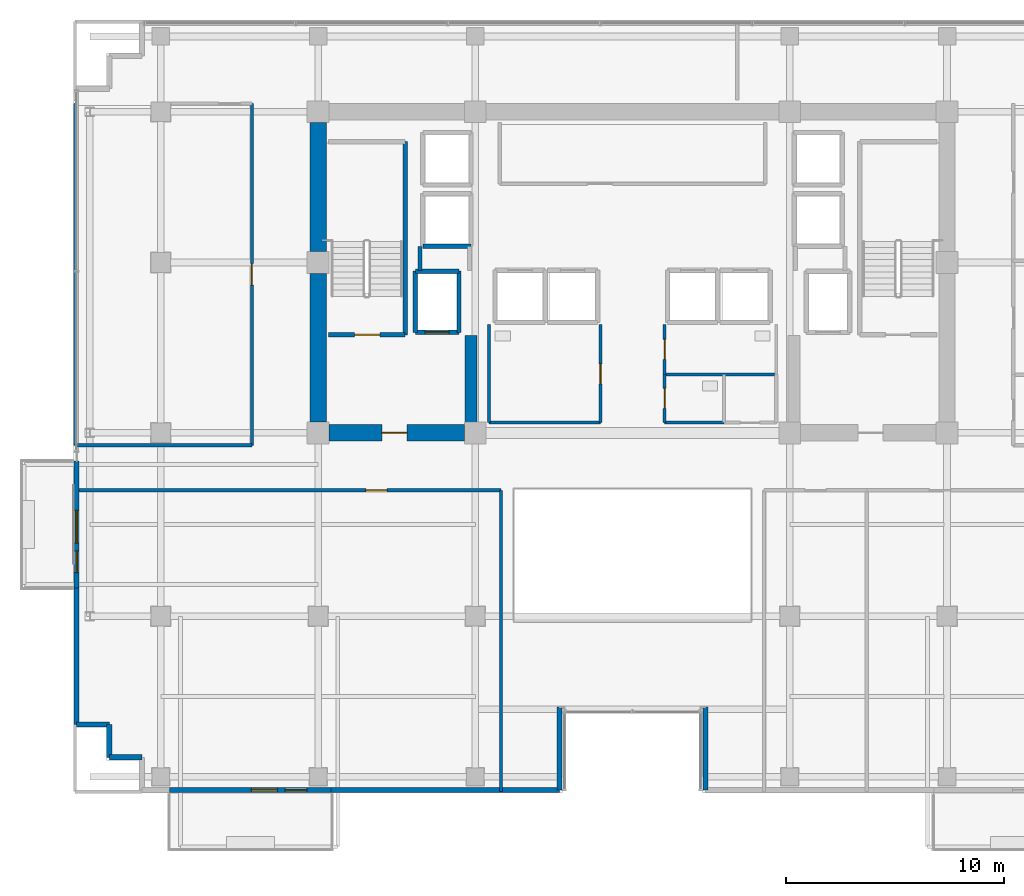
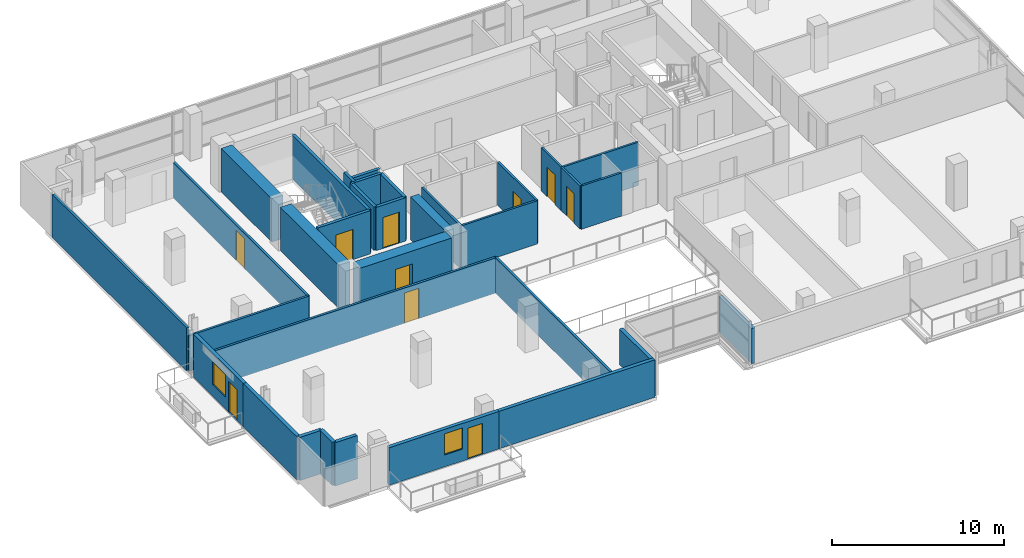
# One storey, part 15 of 23: 33 walls, 10 doors, 2 windows, 12 openings.
"""IFC4 building model written with IfcOpenShell, lengths in metres."""

from ifc_helpers import new_model, si_unit, direction, frame, frame_2d, origin, place, context, subcontext, project, spatial, rectangle, extrude, source, transform, mapped, material, layer, layer_set, type_object, element, fill, save


model = new_model("IFC4")

# Units and contexts
model_context = context("Model", 3, precision=1e-05, world=origin(), true_north=direction((0.0, 1.0)))
body_context = subcontext(model_context, "Body", "Model", "MODEL_VIEW")
ifc_project = project(units=[si_unit("LENGTHUNIT", "METRE"), si_unit("AREAUNIT", "SQUARE_METRE"), si_unit("VOLUMEUNIT", "CUBIC_METRE"), si_unit("PLANEANGLEUNIT", "RADIAN"), si_unit("MASSUNIT", "GRAM", prefix="KILO")], contexts=[model_context])

# Site, building, storey
site_placement = place(None, origin())
site = spatial("IfcSite", under=ifc_project, at=site_placement, CompositionType="ELEMENT")
building_placement = place(site_placement, origin())
building = spatial("IfcBuilding", under=site, at=building_placement, Name="Zarnakvel Exchange Tower", CompositionType="ELEMENT")
storey_placement = place(building_placement, frame((0.0, 0.0, 129.699951171875)))
storey = spatial("IfcBuildingStorey", under=building, at=storey_placement, Name="L36", CompositionType="ELEMENT", Elevation=129.699951171875)

# Walls
ifc_material_1 = material(Name="Concrete C60/75", Category="concrete")
ifc_layer_1 = layer(ifc_material_1, 0.75)
ifc_layer_set_1 = layer_set([ifc_layer_1], Name="Concrete C60/75")
wall_type_1 = type_object("IfcWallType", Name="CW-C3", PredefinedType="SHEAR", material=ifc_layer_set_1)
wall_1_placement = place(storey_placement, frame((-14.39990234375, -0.699951171875, 0.0), z_axis=(0.0, 0.0, 1.0), x_axis=(0.0, 1.0, 0.0)))
element("IfcWall", 1, at=wall_1_placement, inside=storey, type_object=wall_type_1, Name="L36 Rear Core Shear Wall W1 (CW-C3)", PredefinedType="SHEAR", context=body_context, shape_type="SweptSolid", body=[
    extrude(rectangle(XDim=6.800048828125, YDim=0.75, at=frame_2d((3.39990234375, 0.0))), origin(), (0.0, 0.0, 1.0), 3.074951171875),
])
wall_2_placement = place(storey_placement, frame((-14.39990234375, 7.10009765625, 0.0), z_axis=(0.0, 0.0, 1.0), x_axis=(0.0, 1.0, 0.0)))
element("IfcWall", 2, at=wall_2_placement, inside=storey, type_object=wall_type_1, Name="L36 Rear Core Shear Wall W2 (CW-C3)", PredefinedType="SHEAR", context=body_context, shape_type="SweptSolid", body=[
    extrude(rectangle(XDim=5.89990234375, YDim=0.75, at=frame_2d((2.949951171875, 0.0))), origin(), (0.0, 0.0, 1.0), 3.074951171875),
])

# Wall, opening, door
wall_3_placement = place(storey_placement, frame((-7.699951171875, -1.199951171875, 0.0), z_axis=(0.0, 0.0, 1.0), x_axis=(-1.0, 0.0, 0.0)))
wall_3 = element("IfcWall", 3, at=wall_3_placement, inside=storey, type_object=wall_type_1, Name="L36 Rear Core Shear Wall SW (CW-C3)", PredefinedType="SHEAR", context=body_context, shape_type="SweptSolid", body=[
    extrude(rectangle(XDim=6.199951171875, YDim=0.75, at=frame_2d((3.10009765625, 0.0))), origin(), (0.0, 0.0, 1.0), 3.074951171875),
])
opening_1_placement = place(wall_3_placement, frame((2.625, 0.0, 0.0)))
opening_1 = element("IfcOpeningElement", 4, at=opening_1_placement, cuts=wall_3, Name="Opening D-L36-03", PredefinedType="OPENING", context=body_context, shape_type="SweptSolid", body=[
    extrude(rectangle(XDim=1.14990234375, YDim=2.14990234375, at=frame_2d((0.574951171875, 1.074951171875))), frame((0.0, 0.385009765625, 0.0), z_axis=(0.0, -1.0, 0.0), x_axis=(1.0, 0.0, 0.0)), (0.0, 0.0, 1.0), 0.77001953125),
])
ifc_material_2 = material(Name="Painted Galvanised Steel S355", Category="steel")
door_type_1 = type_object("IfcDoorType", Name="DT-04", OperationType="NOTDEFINED", PredefinedType="DOOR", material=ifc_material_2)
shared_shape_1 = source(origin(), body_context, "Body", "SweptSolid", [
    extrude(rectangle(XDim=1.14990234375, YDim=2.14990234375, at=frame_2d((0.574951171875, 1.074951171875))), frame((0.0, 0.02490234375, 0.0), z_axis=(0.0, -1.0, 0.0), x_axis=(1.0, 0.0, 0.0)), (0.0, 0.0, 1.0), 0.050048828125),
])
door_1_placement = place(opening_1_placement, origin())
door_1 = element("IfcDoor", 5, at=door_1_placement, inside=storey, type_object=door_type_1, Name="L36 Firefighting Lobby West Door D-L36-03", OperationType="SINGLE_SWING_LEFT", OverallHeight=2.14990234375, OverallWidth=1.14990234375, PredefinedType="DOOR", context=body_context, shape_type="MappedRepresentation", body=[
    mapped(shared_shape_1, transform((0.0, 0.0, 0.0), x_axis=(1.0, 0.0, 0.0), y_axis=(0.0, 1.0, 0.0), z_axis=(0.0, 0.0, 1.0), scale=1.0)),
])
fill(opening_1, door_1)

# Wall
ifc_layer_2 = layer(ifc_material_1, 0.550048828125)
ifc_layer_set_2 = layer_set([ifc_layer_2], Name="Concrete C60/75")
wall_type_2 = type_object("IfcWallType", Name="CW-C4", PredefinedType="SHEAR", material=ifc_layer_set_2)
wall_4_placement = place(storey_placement, frame((-7.39990234375, -0.824951171875, 0.0), z_axis=(0.0, 0.0, 1.0), x_axis=(0.0, 1.0, 0.0)))
element("IfcWall", 6, at=wall_4_placement, inside=storey, type_object=wall_type_2, Name="L36 Rear Core Shear Wall IW (CW-C4)", PredefinedType="SHEAR", context=body_context, shape_type="SweptSolid", body=[
    extrude(rectangle(XDim=4.074951171875, YDim=0.550048828125, at=frame_2d((2.03759765625, 0.0))), origin(), (0.0, 0.0, 1.0), 3.074951171875),
])

# Wall, openings, door, window
ifc_material_3 = material(Name="Precast concrete C40/50", Category="concrete")
ifc_layer_3 = layer(ifc_material_3, 0.239990234375)
ifc_layer_set_3 = layer_set([ifc_layer_3], Name="Precast concrete C40/50")
wall_type_3 = type_object("IfcWallType", Name="EW-02", PredefinedType="SOLIDWALL", material=ifc_layer_set_3)
wall_5_placement = place(storey_placement, frame((-13.800048828125, -17.56005859375, 0.0), z_axis=(0.0, 0.0, 1.0), x_axis=(-1.0, 0.0, 0.0)))
wall_5 = element("IfcWall", 7, at=wall_5_placement, inside=storey, type_object=wall_type_3, Name="L36 Exterior Precast Spandrel Wall EW-BAL-L36-SW (EW-02)", PredefinedType="SOLIDWALL", context=body_context, shape_type="SweptSolid", body=[
    extrude(rectangle(XDim=7.39990234375, YDim=0.239990234375, at=frame_2d((3.699951171875, 0.0))), origin(), (0.0, 0.0, 1.0), 2.6650390625),
])
opening_2_placement = place(wall_5_placement, frame((1.110107421875, 0.0, 0.0)))
opening_2 = element("IfcOpeningElement", 8, at=opening_2_placement, cuts=wall_5, Name="Opening BD-L36-01", PredefinedType="OPENING", context=body_context, shape_type="SweptSolid", body=[
    extrude(rectangle(XDim=1.0, YDim=2.199951171875, at=frame_2d((0.5, 1.10009765625))), frame((0.0, 0.1298828125, 0.0), z_axis=(0.0, -1.0, 0.0), x_axis=(1.0, 0.0, 0.0)), (0.0, 0.0, 1.0), 0.260009765625),
])
opening_3_placement = place(wall_5_placement, frame((2.4599609375, 0.0, 0.85009765625)))
opening_3 = element("IfcOpeningElement", 9, at=opening_3_placement, cuts=wall_5, Name="Opening WN-04", PredefinedType="OPENING", context=body_context, shape_type="SweptSolid", body=[
    extrude(rectangle(XDim=1.199951171875, YDim=1.5, at=frame_2d((0.60009765625, 0.75))), frame((0.0, 0.1298828125, 0.0), z_axis=(0.0, -1.0, 0.0), x_axis=(1.0, 0.0, 0.0)), (0.0, 0.0, 1.0), 0.260009765625),
])
ifc_material_4 = material(Name="Architectural Bronze Anodised Aluminium", Category="aluminium")
door_type_2 = type_object("IfcDoorType", Name="DT-09", OperationType="NOTDEFINED", PredefinedType="DOOR", material=ifc_material_4)
shared_shape_2 = source(origin(), body_context, "Body", "SweptSolid", [
    extrude(rectangle(XDim=1.0, YDim=2.199951171875, at=frame_2d((0.5, 1.10009765625))), frame((0.0, 0.02490234375, 0.0), z_axis=(0.0, -1.0, 0.0), x_axis=(1.0, 0.0, 0.0)), (0.0, 0.0, 1.0), 0.050048828125),
])
door_2_placement = place(opening_2_placement, origin())
door_2 = element("IfcDoor", 10, at=door_2_placement, inside=storey, type_object=door_type_2, Name="L36 Planted Loggia Balcony Door BD-L36-01", OperationType="SINGLE_SWING_RIGHT", OverallHeight=2.199951171875, OverallWidth=1.0, PredefinedType="DOOR", context=body_context, shape_type="MappedRepresentation", body=[
    mapped(shared_shape_2, transform((0.0, 0.0, 0.0), x_axis=(1.0, 0.0, 0.0), y_axis=(0.0, 1.0, 0.0), z_axis=(0.0, 0.0, 1.0), scale=1.0)),
])
fill(opening_2, door_2)
ifc_material_5 = material(Name="Double Low-E Laminated Vision Glass", Category="glass")
window_type_1 = type_object("IfcWindowType", Name="WN-04", PartitioningType="SINGLE_PANEL", PredefinedType="WINDOW", material=ifc_material_5)
shared_shape_3 = source(origin(), body_context, "Body", "SweptSolid", [
    extrude(rectangle(XDim=1.199951171875, YDim=1.5, at=frame_2d((0.60009765625, 0.75))), frame((0.0, 0.030029296875, 0.0), z_axis=(0.0, -1.0, 0.0), x_axis=(1.0, 0.0, 0.0)), (0.0, 0.0, 1.0), 0.06005859375),
])
window_1_placement = place(opening_3_placement, origin())
window_1 = element("IfcWindow", 11, at=window_1_placement, inside=storey, type_object=window_type_1, Name="L36 Loggia Daylight Window (WN-04)", OverallHeight=1.5, OverallWidth=1.199951171875, PartitioningType="SINGLE_PANEL", PredefinedType="WINDOW", context=body_context, shape_type="MappedRepresentation", body=[
    mapped(shared_shape_3, transform((0.0, 0.0, 0.0), x_axis=(1.0, 0.0, 0.0), y_axis=(0.0, 1.0, 0.0), z_axis=(0.0, 0.0, 1.0), scale=1.0)),
])
fill(opening_3, window_1)

wall_6_placement = place(storey_placement, frame((-25.4599609375, -8.300048828125, 0.0), z_axis=(0.0, 0.0, 1.0), x_axis=(0.0, 1.0, 0.0)))
wall_6 = element("IfcWall", 12, at=wall_6_placement, inside=storey, type_object=wall_type_3, Name="L36 Exterior Precast Spandrel Wall EW-BAL-L36-W (EW-02)", PredefinedType="SOLIDWALL", context=body_context, shape_type="SweptSolid", body=[
    extrude(rectangle(XDim=5.800048828125, YDim=0.239990234375, at=frame_2d((2.89990234375, 0.0))), origin(), (0.0, 0.0, 1.0), 3.074951171875),
])
opening_4_placement = place(wall_6_placement, frame((0.696044921875, 0.0, 0.0)))
opening_4 = element("IfcOpeningElement", 13, at=opening_4_placement, cuts=wall_6, Name="Opening BD-L36-03", PredefinedType="OPENING", context=body_context, shape_type="SweptSolid", body=[
    extrude(rectangle(XDim=1.0, YDim=2.199951171875, at=frame_2d((0.5, 1.10009765625))), frame((0.0, 0.1298828125, 0.0), z_axis=(0.0, -1.0, 0.0), x_axis=(1.0, 0.0, 0.0)), (0.0, 0.0, 1.0), 0.260009765625),
])
opening_5_placement = place(wall_6_placement, frame((2.0458984375, 0.0, 0.85009765625)))
opening_5 = element("IfcOpeningElement", 14, at=opening_5_placement, cuts=wall_6, Name="Opening WN-03", PredefinedType="OPENING", context=body_context, shape_type="SweptSolid", body=[
    extrude(rectangle(XDim=1.5, YDim=1.60009765625, at=frame_2d((0.75, 0.800048828125))), frame((0.0, 0.1298828125, 0.0), z_axis=(0.0, -1.0, 0.0), x_axis=(1.0, 0.0, 0.0)), (0.0, 0.0, 1.0), 0.260009765625),
])
door_3_placement = place(opening_4_placement, origin())
door_3 = element("IfcDoor", 15, at=door_3_placement, inside=storey, type_object=door_type_2, Name="L36 Planted Loggia Balcony Door BD-L36-03", OperationType="SINGLE_SWING_RIGHT", OverallHeight=2.199951171875, OverallWidth=1.0, PredefinedType="DOOR", context=body_context, shape_type="MappedRepresentation", body=[
    mapped(shared_shape_2, transform((0.0, 0.0, 0.0), x_axis=(1.0, 0.0, 0.0), y_axis=(0.0, 1.0, 0.0), z_axis=(0.0, 0.0, 1.0), scale=1.0)),
])
fill(opening_4, door_3)
window_type_2 = type_object("IfcWindowType", Name="WN-03", PartitioningType="SINGLE_PANEL", PredefinedType="WINDOW", material=ifc_material_5)
shared_shape_4 = source(origin(), body_context, "Body", "SweptSolid", [
    extrude(rectangle(XDim=1.5, YDim=1.60009765625, at=frame_2d((0.75, 0.800048828125))), frame((0.0, 0.030029296875, 0.0), z_axis=(0.0, -1.0, 0.0), x_axis=(1.0, 0.0, 0.0)), (0.0, 0.0, 1.0), 0.06005859375),
])
window_2_placement = place(opening_5_placement, origin())
window_2 = element("IfcWindow", 16, at=window_2_placement, inside=storey, type_object=window_type_2, Name="L36 Loggia Daylight Window (WN-03)", OverallHeight=1.60009765625, OverallWidth=1.5, PartitioningType="SINGLE_PANEL", PredefinedType="WINDOW", context=body_context, shape_type="MappedRepresentation", body=[
    mapped(shared_shape_4, transform((0.0, 0.0, 0.0), x_axis=(1.0, 0.0, 0.0), y_axis=(0.0, 1.0, 0.0), z_axis=(0.0, 0.0, 1.0), scale=1.0)),
])
fill(opening_5, window_2)

# Walls
wall_7_placement = place(storey_placement, frame((-25.4599609375, -8.300048828125, 0.0), z_axis=(0.0, 0.0, 1.0), x_axis=(0.0, -1.0, 0.0)))
element("IfcWall", 17, at=wall_7_placement, inside=storey, type_object=wall_type_3, Name="L36 Exterior Precast Spandrel Wall EWC-L36-01 (EW-02)", PredefinedType="SOLIDWALL", context=body_context, shape_type="SweptSolid", body=[
    extrude(rectangle(XDim=6.260009765625, YDim=0.239990234375, at=frame_2d((3.1298828125, 0.0))), origin(), (0.0, 0.0, 1.0), 3.074951171875),
])
for number, where, z_axis, x_axis, name in (
    (18, (3.340087890625, -13.760009765625, 0.0), (0.0, 0.0, 1.0), (0.0, -1.0, 0.0), "L36 Exterior Precast Spandrel Wall EWC-L36-17 (EW-02)"),
    (19, (-3.340087890625, -17.56005859375, 0.0), (0.0, 0.0, 1.0), (0.0, 1.0, 0.0), "L36 Exterior Precast Spandrel Wall EWC-L36-20 (EW-02)"),
):
    element("IfcWall", number, at=place(storey_placement, frame(where, z_axis=z_axis, x_axis=x_axis)), inside=storey, type_object=wall_type_3, Name=name, PredefinedType="SOLIDWALL", context=body_context, shape_type="SweptSolid", body=[
        extrude(rectangle(XDim=3.800048828125, YDim=0.239990234375, at=frame_2d((1.89990234375, 0.0))), origin(), (0.0, 0.0, 1.0), 2.51513671875),
    ])
wall_8_placement = place(storey_placement, frame((-13.800048828125, -17.56005859375, 0.0), z_axis=(0.0, 0.0, 1.0), x_axis=(1.0, 0.0, 0.0)))
element("IfcWall", 20, at=wall_8_placement, inside=storey, type_object=wall_type_3, Name="L36 Exterior Precast Spandrel Wall EWC-L36-21 (EW-02)", PredefinedType="SOLIDWALL", context=body_context, shape_type="SweptSolid", body=[
    extrude(rectangle(XDim=10.4599609375, YDim=0.239990234375, at=frame_2d((5.22998046875, 0.0))), origin(), (0.0, 0.0, 1.0), 2.6650390625),
])
for number, where, z_axis, x_axis, name in (
    (21, (-23.9599609375, -16.06005859375, 0.0), (0.0, 0.0, 1.0), (1.0, 0.0, 0.0), "L36 Exterior Precast Spandrel Wall EWC-L36-24 (EW-02)"),
    (22, (-23.9599609375, -14.56005859375, 0.0), (0.0, 0.0, 1.0), (0.0, -1.0, 0.0), "L36 Exterior Precast Spandrel Wall EWC-L36-25 (EW-02)"),
    (23, (-25.4599609375, -14.56005859375, 0.0), (0.0, 0.0, 1.0), (1.0, 0.0, 0.0), "L36 Exterior Precast Spandrel Wall EWC-L36-26 (EW-02)"),
):
    element("IfcWall", number, at=place(storey_placement, frame(where, z_axis=z_axis, x_axis=x_axis)), inside=storey, type_object=wall_type_3, Name=name, PredefinedType="SOLIDWALL", context=body_context, shape_type="SweptSolid", body=[
        extrude(rectangle(XDim=1.5, YDim=0.239990234375, at=frame_2d((0.75, 0.0))), origin(), (0.0, 0.0, 1.0), 3.074951171875),
    ])

# Wall, opening, door
ifc_material_6 = material(Name="Fire-Rated Gypsum Stud Partition", Category="gypsum")
ifc_layer_4 = layer(ifc_material_6, 0.14990234375)
ifc_layer_set_4 = layer_set([ifc_layer_4], Name="Fire-Rated Gypsum Stud Partition")
wall_type_4 = type_object("IfcWallType", Name="PT-01", PredefinedType="PARTITIONING", material=ifc_layer_set_4)
wall_9_placement = place(storey_placement, frame((-25.530029296875, -3.830078125, 0.0), z_axis=(0.0, 0.0, 1.0), x_axis=(1.0, 0.0, 0.0)))
wall_9 = element("IfcWall", 24, at=wall_9_placement, inside=storey, type_object=wall_type_4, Name="L36 Partition Wall PWALL-L36-026 (PT-01)", PredefinedType="PARTITIONING", context=body_context, shape_type="SweptSolid", body=[
    extrude(rectangle(XDim=19.510009765625, YDim=0.14990234375, at=frame_2d((9.7548828125, 0.0))), origin(), (0.0, 0.0, 1.0), 2.51513671875),
])
opening_6_placement = place(wall_9_placement, frame((13.31494140625, 0.0, 0.0)))
opening_6 = element("IfcOpeningElement", 25, at=opening_6_placement, cuts=wall_9, Name="Opening D-L36-10", PredefinedType="OPENING", context=body_context, shape_type="SweptSolid", body=[
    extrude(rectangle(XDim=0.97998046875, YDim=2.14990234375, at=frame_2d((0.489990234375, 1.074951171875))), frame((0.0, 0.0849609375, 0.0), z_axis=(0.0, -1.0, 0.0), x_axis=(1.0, 0.0, 0.0)), (0.0, 0.0, 1.0), 0.169921875),
])
ifc_material_7 = material(Name="Timber Acoustic Veneer", Category="wood")
door_type_3 = type_object("IfcDoorType", Name="DT-05", OperationType="NOTDEFINED", PredefinedType="DOOR", material=ifc_material_7)
shared_shape_5 = source(origin(), body_context, "Body", "SweptSolid", [
    extrude(rectangle(XDim=0.97998046875, YDim=2.14990234375, at=frame_2d((0.489990234375, 1.074951171875))), frame((0.0, 0.02490234375, 0.0), z_axis=(0.0, -1.0, 0.0), x_axis=(1.0, 0.0, 0.0)), (0.0, 0.0, 1.0), 0.050048828125),
])
door_4_placement = place(opening_6_placement, origin())
door_4 = element("IfcDoor", 26, at=door_4_placement, inside=storey, type_object=door_type_3, Name="L36 Equities Trading Floor Door D-L36-10", OperationType="SINGLE_SWING_RIGHT", OverallHeight=2.14990234375, OverallWidth=0.97998046875, PredefinedType="DOOR", context=body_context, shape_type="MappedRepresentation", body=[
    mapped(shared_shape_5, transform((0.0, 0.0, 0.0), x_axis=(1.0, 0.0, 0.0), y_axis=(0.0, 1.0, 0.0), z_axis=(0.0, 0.0, 1.0), scale=1.0)),
])
fill(opening_6, door_4)

# Walls
wall_10_placement = place(storey_placement, frame((-6.02001953125, -3.830078125, 0.0), z_axis=(0.0, 0.0, 1.0), x_axis=(0.0, -1.0, 0.0)))
element("IfcWall", 27, at=wall_10_placement, inside=storey, type_object=wall_type_4, Name="L36 Partition Wall PWALL-L36-028 (PT-01)", PredefinedType="PARTITIONING", context=body_context, shape_type="SweptSolid", body=[
    extrude(rectangle(XDim=13.7998046875, YDim=0.14990234375, at=frame_2d((6.89990234375, 0.0))), origin(), (0.0, 0.0, 1.0), 2.51513671875),
])
wall_11_placement = place(storey_placement, frame((-17.429931640625, -1.77001953125, 0.0), z_axis=(0.0, 0.0, 1.0), x_axis=(-1.0, 0.0, 0.0)))
element("IfcWall", 28, at=wall_11_placement, inside=storey, type_object=wall_type_4, Name="L36 Partition Wall PWALL-L36-036 (PT-01)", PredefinedType="PARTITIONING", context=body_context, shape_type="SweptSolid", body=[
    extrude(rectangle(XDim=8.10009765625, YDim=0.14990234375, at=frame_2d((4.050048828125, 0.0))), origin(), (0.0, 0.0, 1.0), 2.51513671875),
])
wall_12_placement = place(storey_placement, frame((-25.530029296875, -1.77001953125, 0.0), z_axis=(0.0, 0.0, 1.0), x_axis=(0.0, 1.0, 0.0)))
element("IfcWall", 29, at=wall_12_placement, inside=storey, type_object=wall_type_4, Name="L36 Partition Wall PWALL-L36-038 (PT-01)", PredefinedType="PARTITIONING", context=body_context, shape_type="SweptSolid", body=[
    extrude(rectangle(XDim=15.64990234375, YDim=0.14990234375, at=frame_2d((7.824951171875, 0.0))), origin(), (0.0, 0.0, 1.0), 3.074951171875),
])

# Wall, opening, door
wall_13_placement = place(storey_placement, frame((-17.429931640625, 13.8798828125, 0.0), z_axis=(0.0, 0.0, 1.0), x_axis=(0.0, -1.0, 0.0)))
wall_13 = element("IfcWall", 30, at=wall_13_placement, inside=storey, type_object=wall_type_4, Name="L36 Partition Wall PWALL-L36-039 (PT-01)", PredefinedType="PARTITIONING", context=body_context, shape_type="SweptSolid", body=[
    extrude(rectangle(XDim=15.64990234375, YDim=0.14990234375, at=frame_2d((7.824951171875, 0.0))), origin(), (0.0, 0.0, 1.0), 2.51513671875),
])
opening_7_placement = place(wall_13_placement, frame((7.3349609375, 0.0, 0.0)))
opening_7 = element("IfcOpeningElement", 31, at=opening_7_placement, cuts=wall_13, Name="Opening D-L36-13", PredefinedType="OPENING", context=body_context, shape_type="SweptSolid", body=[
    extrude(rectangle(XDim=0.97998046875, YDim=2.14990234375, at=frame_2d((0.489990234375, 1.074951171875))), frame((0.0, 0.0849609375, 0.0), z_axis=(0.0, -1.0, 0.0), x_axis=(1.0, 0.0, 0.0)), (0.0, 0.0, 1.0), 0.169921875),
])
door_5_placement = place(opening_7_placement, origin())
door_5 = element("IfcDoor", 32, at=door_5_placement, inside=storey, type_object=door_type_3, Name="L36 Executive Office Door D-L36-13", OperationType="SINGLE_SWING_LEFT", OverallHeight=2.14990234375, OverallWidth=0.97998046875, PredefinedType="DOOR", context=body_context, shape_type="MappedRepresentation", body=[
    mapped(shared_shape_5, transform((0.0, 0.0, 0.0), x_axis=(1.0, 0.0, 0.0), y_axis=(0.0, 1.0, 0.0), z_axis=(0.0, 0.0, 1.0), scale=1.0)),
])
fill(opening_7, door_5)

# Walls
ifc_layer_5 = layer(ifc_material_6, 0.179931640625)
ifc_layer_set_5 = layer_set([ifc_layer_5], Name="Fire-Rated Gypsum Stud Partition")
wall_type_5 = type_object("IfcWallType", Name="PT-02", PredefinedType="PARTITIONING", material=ifc_layer_set_5)
wall_14_placement = place(storey_placement, frame((-9.72998046875, 6.239990234375, 0.0), z_axis=(0.0, 0.0, 1.0), x_axis=(0.0, 1.0, 0.0)))
element("IfcWall", 33, at=wall_14_placement, inside=storey, type_object=wall_type_5, Name="L36 Partition Wall PWALL-L36-007 (PT-02)", PredefinedType="PARTITIONING", context=body_context, shape_type="SweptSolid", body=[
    extrude(rectangle(XDim=1.090087890625, YDim=0.179931640625, at=frame_2d((0.544921875, 0.0))), origin(), (0.0, 0.0, 1.0), 3.074951171875),
])
ifc_material_8 = material(Name="Moisture-Resistant Tile-Faced Partition", Category="gypsum")
ifc_layer_6 = layer(ifc_material_8, 0.135009765625)
ifc_layer_set_6 = layer_set([ifc_layer_6], Name="Moisture-Resistant Tile-Faced Partition")
wall_type_6 = type_object("IfcWallType", Name="PT-03", PredefinedType="PARTITIONING", material=ifc_layer_set_6)
wall_15_placement = place(storey_placement, frame((-1.469970703125, -0.72998046875, 0.0), z_axis=(0.0, 0.0, 1.0), x_axis=(-1.0, 0.0, 0.0)))
element("IfcWall", 34, at=wall_15_placement, inside=storey, type_object=wall_type_6, Name="L36 Partition Wall PWALL-L36-014 (PT-03)", PredefinedType="PARTITIONING", context=body_context, shape_type="SweptSolid", body=[
    extrude(rectangle(XDim=5.110107421875, YDim=0.135009765625, at=frame_2d((2.55517578125, 0.0))), origin(), (0.0, 0.0, 1.0), 3.074951171875),
])
wall_16_placement = place(storey_placement, frame((-6.580078125, -0.72998046875, 0.0), z_axis=(0.0, 0.0, 1.0), x_axis=(0.0, 1.0, 0.0)))
element("IfcWall", 35, at=wall_16_placement, inside=storey, type_object=wall_type_6, Name="L36 Partition Wall PWALL-L36-015 (PT-03)", PredefinedType="PARTITIONING", context=body_context, shape_type="SweptSolid", body=[
    extrude(rectangle(XDim=4.489990234375, YDim=0.135009765625, at=frame_2d((2.2451171875, 0.0))), origin(), (0.0, 0.0, 1.0), 3.074951171875),
])

# Wall, opening, door
wall_17_placement = place(storey_placement, frame((-1.469970703125, 3.760009765625, 0.0), z_axis=(0.0, 0.0, 1.0), x_axis=(0.0, -1.0, 0.0)))
wall_17 = element("IfcWall", 36, at=wall_17_placement, inside=storey, type_object=wall_type_6, Name="L36 Partition Wall PWALL-L36-016 (PT-03)", PredefinedType="PARTITIONING", context=body_context, shape_type="SweptSolid", body=[
    extrude(rectangle(XDim=4.489990234375, YDim=0.135009765625, at=frame_2d((2.2451171875, 0.0))), origin(), (0.0, 0.0, 1.0), 3.074951171875),
])
opening_8_placement = place(wall_17_placement, frame((1.800048828125, 0.0, 0.0)))
opening_8 = element("IfcOpeningElement", 37, at=opening_8_placement, cuts=wall_17, Name="Opening D-L36-06", PredefinedType="OPENING", context=body_context, shape_type="SweptSolid", body=[
    extrude(rectangle(XDim=0.919921875, YDim=2.10009765625, at=frame_2d((0.4599609375, 1.050048828125))), frame((0.0, 0.077392578125, 0.0), z_axis=(0.0, -1.0, 0.0), x_axis=(1.0, 0.0, 0.0)), (0.0, 0.0, 1.0), 0.155029296875),
])
ifc_material_9 = material(Name="Moisture-Resistant Laminate Timber", Category="wood")
door_type_4 = type_object("IfcDoorType", Name="DT-07", OperationType="NOTDEFINED", PredefinedType="DOOR", material=ifc_material_9)
shared_shape_6 = source(origin(), body_context, "Body", "SweptSolid", [
    extrude(rectangle(XDim=0.919921875, YDim=2.10009765625, at=frame_2d((0.4599609375, 1.050048828125))), frame((0.0, 0.02490234375, 0.0), z_axis=(0.0, -1.0, 0.0), x_axis=(1.0, 0.0, 0.0)), (0.0, 0.0, 1.0), 0.050048828125),
])
door_6_placement = place(opening_8_placement, origin())
door_6 = element("IfcDoor", 38, at=door_6_placement, inside=storey, type_object=door_type_4, Name="L36 Male Toilet Door D-L36-06", OperationType="SINGLE_SWING_RIGHT", OverallHeight=2.10009765625, OverallWidth=0.919921875, PredefinedType="DOOR", context=body_context, shape_type="MappedRepresentation", body=[
    mapped(shared_shape_6, transform((0.0, 0.0, 0.0), x_axis=(1.0, 0.0, 0.0), y_axis=(0.0, 1.0, 0.0), z_axis=(0.0, 0.0, 1.0), scale=1.0)),
])
fill(opening_8, door_6)

# Wall
wall_18_placement = place(storey_placement, frame((6.580078125, 1.47998046875, 0.0), z_axis=(0.0, 0.0, 1.0), x_axis=(-1.0, 0.0, 0.0)))
element("IfcWall", 39, at=wall_18_placement, inside=storey, type_object=wall_type_6, Name="L36 Partition Wall PWALL-L36-017 (PT-03)", PredefinedType="PARTITIONING", context=body_context, shape_type="SweptSolid", body=[
    extrude(rectangle(XDim=5.110107421875, YDim=0.135009765625, at=frame_2d((2.55517578125, 0.0))), origin(), (0.0, 0.0, 1.0), 3.074951171875),
])

# Wall, opening, door
wall_19_placement = place(storey_placement, frame((1.469970703125, 1.47998046875, 0.0), z_axis=(0.0, 0.0, 1.0), x_axis=(0.0, 1.0, 0.0)))
wall_19 = element("IfcWall", 40, at=wall_19_placement, inside=storey, type_object=wall_type_6, Name="L36 Partition Wall PWALL-L36-018 (PT-03)", PredefinedType="PARTITIONING", context=body_context, shape_type="SweptSolid", body=[
    extrude(rectangle(XDim=2.280029296875, YDim=0.135009765625, at=frame_2d((1.14013671875, 0.0))), origin(), (0.0, 0.0, 1.0), 3.074951171875),
])
opening_9_placement = place(wall_19_placement, frame((0.679931640625, 0.0, 0.0)))
opening_9 = element("IfcOpeningElement", 41, at=opening_9_placement, cuts=wall_19, Name="Opening D-L36-07", PredefinedType="OPENING", context=body_context, shape_type="SweptSolid", body=[
    extrude(rectangle(XDim=0.919921875, YDim=2.10009765625, at=frame_2d((0.4599609375, 1.050048828125))), frame((0.0, 0.077392578125, 0.0), z_axis=(0.0, -1.0, 0.0), x_axis=(1.0, 0.0, 0.0)), (0.0, 0.0, 1.0), 0.155029296875),
])
door_7_placement = place(opening_9_placement, origin())
door_7 = element("IfcDoor", 42, at=door_7_placement, inside=storey, type_object=door_type_4, Name="L36 Female Toilet Door D-L36-07", OperationType="SINGLE_SWING_LEFT", OverallHeight=2.10009765625, OverallWidth=0.919921875, PredefinedType="DOOR", context=body_context, shape_type="MappedRepresentation", body=[
    mapped(shared_shape_6, transform((0.0, 0.0, 0.0), x_axis=(1.0, 0.0, 0.0), y_axis=(0.0, 1.0, 0.0), z_axis=(0.0, 0.0, 1.0), scale=1.0)),
])
fill(opening_9, door_7)

# Wall
wall_20_placement = place(storey_placement, frame((4.179931640625, -0.72998046875, 0.0), z_axis=(0.0, 0.0, 1.0), x_axis=(-1.0, 0.0, 0.0)))
element("IfcWall", 43, at=wall_20_placement, inside=storey, type_object=wall_type_6, Name="L36 Partition Wall PWALL-L36-020 (PT-03)", PredefinedType="PARTITIONING", context=body_context, shape_type="SweptSolid", body=[
    extrude(rectangle(XDim=2.7099609375, YDim=0.135009765625, at=frame_2d((1.35498046875, 0.0))), origin(), (0.0, 0.0, 1.0), 3.074951171875),
])

# Wall, opening, door
wall_21_placement = place(storey_placement, frame((1.469970703125, -0.72998046875, 0.0), z_axis=(0.0, 0.0, 1.0), x_axis=(0.0, 1.0, 0.0)))
wall_21 = element("IfcWall", 44, at=wall_21_placement, inside=storey, type_object=wall_type_6, Name="L36 Partition Wall PWALL-L36-021 (PT-03)", PredefinedType="PARTITIONING", context=body_context, shape_type="SweptSolid", body=[
    extrude(rectangle(XDim=2.2099609375, YDim=0.135009765625, at=frame_2d((1.10498046875, 0.0))), origin(), (0.0, 0.0, 1.0), 3.074951171875),
])
opening_10_placement = place(wall_21_placement, frame((0.64990234375, 0.0, 0.0)))
opening_10 = element("IfcOpeningElement", 45, at=opening_10_placement, cuts=wall_21, Name="Opening D-L36-08", PredefinedType="OPENING", context=body_context, shape_type="SweptSolid", body=[
    extrude(rectangle(XDim=0.919921875, YDim=2.10009765625, at=frame_2d((0.4599609375, 1.050048828125))), frame((0.0, 0.077392578125, 0.0), z_axis=(0.0, -1.0, 0.0), x_axis=(1.0, 0.0, 0.0)), (0.0, 0.0, 1.0), 0.155029296875),
])
door_8_placement = place(opening_10_placement, origin())
door_8 = element("IfcDoor", 46, at=door_8_placement, inside=storey, type_object=door_type_4, Name="L36 Accessible Toilet Door D-L36-08", OperationType="SINGLE_SWING_RIGHT", OverallHeight=2.10009765625, OverallWidth=0.919921875, PredefinedType="DOOR", context=body_context, shape_type="MappedRepresentation", body=[
    mapped(shared_shape_6, transform((0.0, 0.0, 0.0), x_axis=(1.0, 0.0, 0.0), y_axis=(0.0, 1.0, 0.0), z_axis=(0.0, 0.0, 1.0), scale=1.0)),
])
fill(opening_10, door_8)

ifc_material_10 = material(Name="Concrete C40/50", Category="concrete")
ifc_layer_7 = layer(ifc_material_10, 0.199951171875)
ifc_layer_set_7 = layer_set([ifc_layer_7], Name="Concrete C40/50")
wall_type_7 = type_object("IfcWallType", Name="SW-01", PredefinedType="SOLIDWALL", material=ifc_layer_set_7)
wall_22_placement = place(storey_placement, frame((-7.949951171875, 3.39990234375, 0.0), z_axis=(0.0, 0.0, 1.0), x_axis=(-1.0, 0.0, 0.0)))
wall_22 = element("IfcWall", 47, at=wall_22_placement, inside=storey, type_object=wall_type_7, Name="L36 FL-01 Hoistway Wall South", PredefinedType="SOLIDWALL", context=body_context, shape_type="SweptSolid", body=[
    extrude(rectangle(XDim=2.0, YDim=0.199951171875, at=frame_2d((1.0, 0.0))), origin(), (0.0, 0.0, 1.0), 3.074951171875),
])
opening_11_placement = place(wall_22_placement, frame((0.449951171875, 0.0, 0.0)))
opening_11 = element("IfcOpeningElement", 48, at=opening_11_placement, cuts=wall_22, Name="Opening LD-FL-01-L36", PredefinedType="OPENING", context=body_context, shape_type="SweptSolid", body=[
    extrude(rectangle(XDim=1.10009765625, YDim=2.199951171875, at=frame_2d((0.550048828125, 1.10009765625))), frame((0.0, 0.10986328125, 0.0), z_axis=(0.0, -1.0, 0.0), x_axis=(1.0, 0.0, 0.0)), (0.0, 0.0, 1.0), 0.219970703125),
])
ifc_material_11 = material(Name="Brushed Stainless Steel", Category="steel")
door_type_5 = type_object("IfcDoorType", Name="LDT-01", OperationType="NOTDEFINED", PredefinedType="DOOR", material=ifc_material_11)
shared_shape_7 = source(origin(), body_context, "Body", "SweptSolid", [
    extrude(rectangle(XDim=1.10009765625, YDim=2.199951171875, at=frame_2d((0.550048828125, 1.10009765625))), frame((0.0, 0.02490234375, 0.0), z_axis=(0.0, -1.0, 0.0), x_axis=(1.0, 0.0, 0.0)), (0.0, 0.0, 1.0), 0.050048828125),
])
door_9_placement = place(opening_11_placement, origin())
door_9 = element("IfcDoor", 49, at=door_9_placement, inside=storey, type_object=door_type_5, Name="L36 FL-01 Lift Landing Door LD-FL-01-L36", OperationType="DOUBLE_DOOR_SLIDING", OverallHeight=2.199951171875, OverallWidth=1.10009765625, PredefinedType="DOOR", context=body_context, shape_type="MappedRepresentation", body=[
    mapped(shared_shape_7, transform((0.0, 0.0, 0.0), x_axis=(1.0, 0.0, 0.0), y_axis=(0.0, 1.0, 0.0), z_axis=(0.0, 0.0, 1.0), scale=1.0)),
])
fill(opening_11, door_9)

# Walls
wall_23_placement = place(storey_placement, frame((-9.949951171875, 6.199951171875, 0.0), z_axis=(0.0, 0.0, 1.0), x_axis=(1.0, 0.0, 0.0)))
element("IfcWall", 50, at=wall_23_placement, inside=storey, type_object=wall_type_7, Name="L36 FL-01 Hoistway Wall North", PredefinedType="SOLIDWALL", context=body_context, shape_type="SweptSolid", body=[
    extrude(rectangle(XDim=2.0, YDim=0.199951171875, at=frame_2d((1.0, 0.0))), origin(), (0.0, 0.0, 1.0), 3.074951171875),
])
for number, where, z_axis, x_axis, name in (
    (51, (-9.949951171875, 3.39990234375, 0.0), (0.0, 0.0, 1.0), (0.0, 1.0, 0.0), "L36 FL-01 Hoistway Wall West"),
    (52, (-7.949951171875, 6.199951171875, 0.0), (0.0, 0.0, 1.0), (0.0, -1.0, 0.0), "L36 FL-01 Hoistway Wall East"),
):
    element("IfcWall", number, at=place(storey_placement, frame(where, z_axis=z_axis, x_axis=x_axis)), inside=storey, type_object=wall_type_7, Name=name, PredefinedType="SOLIDWALL", context=body_context, shape_type="SweptSolid", body=[
        extrude(rectangle(XDim=2.800048828125, YDim=0.199951171875, at=frame_2d((1.39990234375, 0.0))), origin(), (0.0, 0.0, 1.0), 3.074951171875),
    ])
wall_24_placement = place(storey_placement, frame((-7.39990234375, 7.35009765625, 0.0), z_axis=(0.0, 0.0, 1.0), x_axis=(-1.0, 0.0, 0.0)))
element("IfcWall", 53, at=wall_24_placement, inside=storey, type_object=wall_type_7, Name="L36 PL-09 Hoistway Wall South", PredefinedType="SOLIDWALL", context=body_context, shape_type="SweptSolid", body=[
    extrude(rectangle(XDim=2.2001953125, YDim=0.199951171875, at=frame_2d((1.10009765625, 0.0))), origin(), (0.0, 0.0, 1.0), 2.51513671875),
])

# Wall, opening, door
ifc_layer_8 = layer(ifc_material_10, 0.199951171875)
ifc_layer_set_8 = layer_set([ifc_layer_8], Name="Concrete C40/50")
wall_type_8 = type_object("IfcWallType", Name="SW-02", PredefinedType="SOLIDWALL", material=ifc_layer_set_8)
wall_25_placement = place(storey_placement, frame((-10.409912109375, 3.2900390625, 0.0), z_axis=(0.0, 0.0, 1.0), x_axis=(-1.0, 0.0, 0.0)))
wall_25 = element("IfcWall", 54, at=wall_25_placement, inside=storey, type_object=wall_type_8, Name="L36 Stairwell Core Wall PWALL-L36-001 (SW-02)", PredefinedType="SOLIDWALL", context=body_context, shape_type="SweptSolid", body=[
    extrude(rectangle(XDim=3.52001953125, YDim=0.199951171875, at=frame_2d((1.760009765625, 0.0))), origin(), (0.0, 0.0, 1.0), 3.074951171875),
])
opening_12_placement = place(wall_25_placement, frame((1.1650390625, 0.0, 0.0)))
opening_12 = element("IfcOpeningElement", 55, at=opening_12_placement, cuts=wall_25, Name="Opening D-L36-01", PredefinedType="OPENING", context=body_context, shape_type="SweptSolid", body=[
    extrude(rectangle(XDim=1.14990234375, YDim=2.14990234375, at=frame_2d((0.574951171875, 1.074951171875))), frame((0.0, 0.10986328125, 0.0), z_axis=(0.0, -1.0, 0.0), x_axis=(1.0, 0.0, 0.0)), (0.0, 0.0, 1.0), 0.219970703125),
])
door_10_placement = place(opening_12_placement, origin())
door_10 = element("IfcDoor", 56, at=door_10_placement, inside=storey, type_object=door_type_1, Name="L36 Stairwell ST-01 Door D-L36-01", OperationType="SINGLE_SWING_LEFT", OverallHeight=2.14990234375, OverallWidth=1.14990234375, PredefinedType="DOOR", context=body_context, shape_type="MappedRepresentation", body=[
    mapped(shared_shape_1, transform((0.0, 0.0, 0.0), x_axis=(1.0, 0.0, 0.0), y_axis=(0.0, 1.0, 0.0), z_axis=(0.0, 0.0, 1.0), scale=1.0)),
])
fill(opening_12, door_10)

# Wall
wall_26_placement = place(storey_placement, frame((-10.409912109375, 12.1298828125, 0.0), z_axis=(0.0, 0.0, 1.0), x_axis=(0.0, -1.0, 0.0)))
element("IfcWall", 57, at=wall_26_placement, inside=storey, type_object=wall_type_8, Name="L36 Stairwell Core Wall PWALL-L36-003 (SW-02)", PredefinedType="SOLIDWALL", context=body_context, shape_type="SweptSolid", body=[
    extrude(rectangle(XDim=8.83984375, YDim=0.199951171875, at=frame_2d((4.419921875, 0.0))), origin(), (0.0, 0.0, 1.0), 3.074951171875),
])

save(model, "model.ifc")
